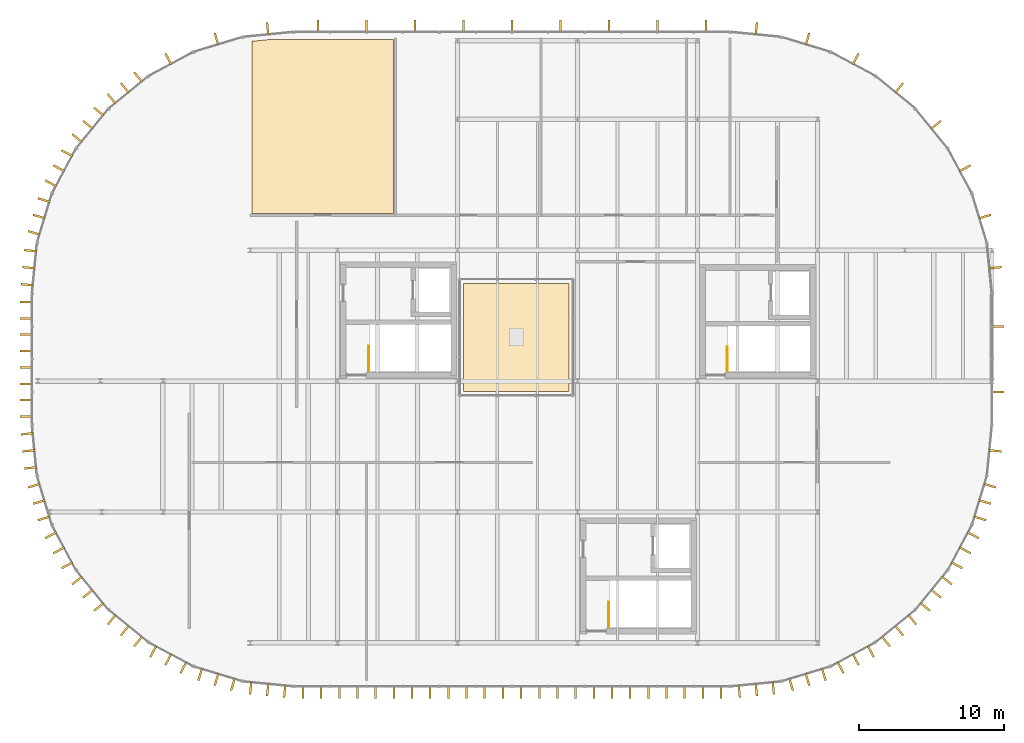
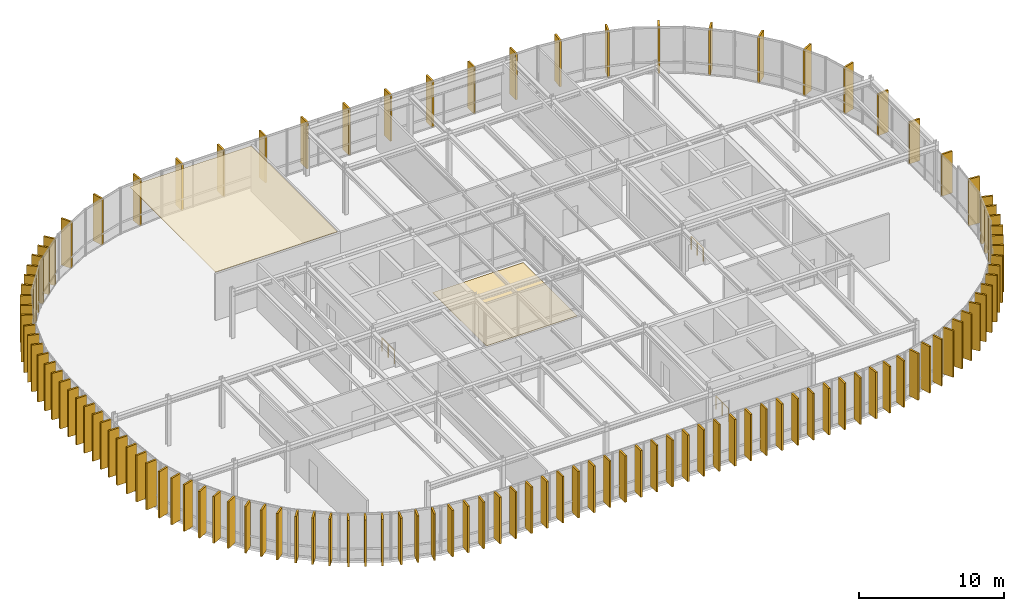
# One storey, part 21 of 21: 117 coverings, 3 railings.
"""IFC4 building model written with IfcOpenShell, lengths in metres."""

from ifc_helpers import new_model, si_unit, direction, frame, origin, origin_2d, place, context, subcontext, project, spatial, polyline, rectangle, circle, outline, extrude, material, layer, layer_set, type_object, element, save


model = new_model("IFC4")

# Units and contexts
model_context = context("Model", 3, precision=1e-05, world=origin(), true_north=direction((0.0, 1.0)))
body_context = subcontext(model_context, "Body", "Model", "MODEL_VIEW")
ifc_project = project(units=[si_unit("LENGTHUNIT", "METRE"), si_unit("AREAUNIT", "SQUARE_METRE"), si_unit("VOLUMEUNIT", "CUBIC_METRE"), si_unit("PLANEANGLEUNIT", "RADIAN"), si_unit("MASSUNIT", "GRAM", prefix="KILO")], contexts=[model_context])

# Site, building, storey
site_placement = place(None, origin())
site = spatial("IfcSite", under=ifc_project, at=site_placement, CompositionType="ELEMENT")
building_placement = place(site_placement, origin())
building = spatial("IfcBuilding", under=site, at=building_placement, Name="Montealbar Specialist Clinic", CompositionType="ELEMENT")
storey_placement = place(building_placement, frame((0.0, 0.0, 26.39990234375)))
storey = spatial("IfcBuildingStorey", under=building, at=storey_placement, Name="L06", CompositionType="ELEMENT", Elevation=26.39990234375)

# Coverings
ifc_material_1 = material(Name="Hygienic acoustic ceiling tile", Category="gypsum")
ifc_layer_1 = layer(ifc_material_1, 0.02490234375, Name="Hygienic acoustic ceiling tile", Category="gypsum")
ifc_layer_set_1 = layer_set([ifc_layer_1], Name="Hygienic acoustic ceiling tile")
covering_type_1 = type_object("IfcCoveringType", Name="COV-CEIL-ACOUSTIC", PredefinedType="CEILING", material=ifc_layer_set_1)
covering_1_placement = place(storey_placement, frame((0.0, 0.0, 3.905029296875)))
element("IfcCovering", 1, at=covering_1_placement, inside=storey, type_object=covering_type_1, Name="Hygienic Acoustic Ceiling Telemedicine Specialist Consulting Room 01", PredefinedType="CEILING", context=body_context, shape_type="SweptSolid", body=[
    extrude(outline(polyline([(69.8701171875, 50.469970703125), (69.8701171875, 38.530029296875), (60.1298828125, 38.530029296875), (60.1298828125, 50.365966796875), (61.18994140625, 50.469970703125), (69.8701171875, 50.469970703125)])), origin(), (0.0, 0.0, 1.0), 0.025146484375),
])
ifc_material_2 = material(Name="Thermally modified timber cladding", Category="wood")
ifc_layer_2 = layer(ifc_material_2, 0.139892578125, Name="Thermally modified timber cladding", Category="wood")
ifc_layer_set_2 = layer_set([ifc_layer_2], Name="Thermally modified timber cladding")
covering_type_2 = type_object("IfcCoveringType", Name="COV-FIN-TIMBER-850", PredefinedType="CLADDING", material=ifc_layer_set_2)
for number, where, z_axis, x_axis, name in (
    (2, (44.60009765625, 24.56201171875, 0.0), (0.0, 0.0, 1.0), (-1.0, 0.0, 0.0), "Vertical Timber Solar Fin CF-L06-0487"),
    (3, (44.60009765625, 25.68798828125, 0.0), (0.0, 0.0, 1.0), (-1.0, 0.0, 0.0), "Vertical Timber Solar Fin CF-L06-0488"),
    (4, (44.60009765625, 26.81201171875, 0.0), (0.0, 0.0, 1.0), (-1.0, 0.0, 0.0), "Vertical Timber Solar Fin CF-L06-0489"),
    (5, (44.60009765625, 27.93798828125, 0.0), (0.0, 0.0, 1.0), (-1.0, 0.0, 0.0), "Vertical Timber Solar Fin CF-L06-0490"),
    (6, (44.60009765625, 29.06201171875, 0.0), (0.0, 0.0, 1.0), (-1.0, 0.0, 0.0), "Vertical Timber Solar Fin CF-L06-0491"),
    (7, (44.60009765625, 30.18798828125, 0.0), (0.0, 0.0, 1.0), (-1.0, 0.0, 0.0), "Vertical Timber Solar Fin CF-L06-0492"),
    (8, (44.60009765625, 31.31201171875, 0.0), (0.0, 0.0, 1.0), (-1.0, 0.0, 0.0), "Vertical Timber Solar Fin CF-L06-0493"),
    (9, (44.60009765625, 32.43798828125, 0.0), (0.0, 0.0, 1.0), (-1.0, 0.0, 0.0), "Vertical Timber Solar Fin CF-L06-0494"),
    (10, (44.659912109375, 33.625, 0.0), (0.0, 0.0, 1.0), (-0.995182012183, 0.098044697094, 0.0), "Vertical Timber Solar Fin CF-L06-0495"),
    (11, (44.77490234375, 34.794921875, 0.0), (0.0, 0.0, 1.0), (-0.995182012183, 0.098044697094, 0.0), "Vertical Timber Solar Fin CF-L06-0496"),
    (12, (44.889892578125, 35.966064453125, 0.0), (0.0, 0.0, 1.0), (-0.995182012183, 0.098044697094, 0.0), "Vertical Timber Solar Fin CF-L06-0497"),
    (13, (45.134033203125, 37.19091796875, 0.0), (0.0, 0.0, 1.0), (-0.956948083701, 0.290259134399, 0.0), "Vertical Timber Solar Fin CF-L06-0498"),
    (14, (45.47509765625, 38.31591796875, 0.0), (0.0, 0.0, 1.0), (-0.956948083701, 0.290259134399, 0.0), "Vertical Timber Solar Fin CF-L06-0499"),
    (15, (45.81689453125, 39.44091796875, 0.0), (0.0, 0.0, 1.0), (-0.956948083701, 0.290259134399, 0.0), "Vertical Timber Solar Fin CF-L06-0500"),
    (16, (46.294921875, 40.594970703125, 0.0), (0.0, 0.0, 1.0), (-0.881850411644, 0.471529268958, 0.0), "Vertical Timber Solar Fin CF-L06-0501"),
    (17, (46.84912109375, 41.633056640625, 0.0), (0.0, 0.0, 1.0), (-0.881850411644, 0.471529268958, 0.0), "Vertical Timber Solar Fin CF-L06-0502"),
    (18, (47.404052734375, 42.669921875, 0.0), (0.0, 0.0, 1.0), (-0.881850411644, 0.471529268958, 0.0), "Vertical Timber Solar Fin CF-L06-0503"),
    (19, (48.097900390625, 43.7080078125, 0.0), (0.0, 0.0, 1.0), (-0.773123255923, 0.634255808922, 0.0), "Vertical Timber Solar Fin CF-L06-0504"),
    (20, (48.843994140625, 44.617919921875, 0.0), (0.0, 0.0, 1.0), (-0.773123255923, 0.634255808922, 0.0), "Vertical Timber Solar Fin CF-L06-0505"),
    (21, (49.590087890625, 45.527099609375, 0.0), (0.0, 0.0, 1.0), (-0.773123255923, 0.634255808922, 0.0), "Vertical Timber Solar Fin CF-L06-0506"),
    (22, (50.472900390625, 46.409912109375, 0.0), (0.0, 0.0, 1.0), (-0.634255808922, 0.773123255923, 0.0), "Vertical Timber Solar Fin CF-L06-0507"),
    (23, (51.382080078125, 47.156005859375, 0.0), (0.0, 0.0, 1.0), (-0.634255808922, 0.773123255923, 0.0), "Vertical Timber Solar Fin CF-L06-0508"),
    (24, (52.2919921875, 47.902099609375, 0.0), (0.0, 0.0, 1.0), (-0.634255808922, 0.773123255923, 0.0), "Vertical Timber Solar Fin CF-L06-0509"),
    (25, (54.366943359375, 49.15087890625, 0.0), (0.0, 0.0, 1.0), (-0.471529268958, 0.881850411644, 0.0), "Vertical Timber Solar Fin CF-L06-0510"),
    (26, (57.68408203125, 50.52490234375, 0.0), (0.0, 0.0, 1.0), (-0.290259134399, 0.956948083701, 0.0), "Vertical Timber Solar Fin CF-L06-0511"),
    (27, (61.205078125, 51.22509765625, 0.0), (0.0, 0.0, 1.0), (-0.098044697094, 0.995182012183, 0.0), "Vertical Timber Solar Fin CF-L06-0512"),
    (28, (64.6669921875, 51.39990234375, 0.0), (0.0, 0.0, 1.0), (0.0, 1.0, 0.0), "Vertical Timber Solar Fin CF-L06-0513"),
    (29, (68.0, 51.39990234375, 0.0), (0.0, 0.0, 1.0), (0.0, 1.0, 0.0), "Vertical Timber Solar Fin CF-L06-0514"),
    (30, (71.3330078125, 51.39990234375, 0.0), (0.0, 0.0, 1.0), (0.0, 1.0, 0.0), "Vertical Timber Solar Fin CF-L06-0515"),
    (31, (74.6669921875, 51.39990234375, 0.0), (0.0, 0.0, 1.0), (0.0, 1.0, 0.0), "Vertical Timber Solar Fin CF-L06-0516"),
    (32, (78.0, 51.39990234375, 0.0), (0.0, 0.0, 1.0), (0.0, 1.0, 0.0), "Vertical Timber Solar Fin CF-L06-0517"),
    (33, (81.3330078125, 51.39990234375, 0.0), (0.0, 0.0, 1.0), (0.0, 1.0, 0.0), "Vertical Timber Solar Fin CF-L06-0518"),
    (34, (84.6669921875, 51.39990234375, 0.0), (0.0, 0.0, 1.0), (0.0, 1.0, 0.0), "Vertical Timber Solar Fin CF-L06-0519"),
    (35, (88.0, 51.39990234375, 0.0), (0.0, 0.0, 1.0), (0.0, 1.0, 0.0), "Vertical Timber Solar Fin CF-L06-0520"),
    (36, (91.3330078125, 51.39990234375, 0.0), (0.0, 0.0, 1.0), (0.0, 1.0, 0.0), "Vertical Timber Solar Fin CF-L06-0521"),
    (37, (94.794921875, 51.22509765625, 0.0), (0.0, 0.0, 1.0), (0.098044697094, 0.995182012183, 0.0), "Vertical Timber Solar Fin CF-L06-0522"),
    (38, (98.31591796875, 50.52490234375, 0.0), (0.0, 0.0, 1.0), (0.290259134399, 0.956948083701, 0.0), "Vertical Timber Solar Fin CF-L06-0523"),
    (39, (101.633056640625, 49.15087890625, 0.0), (0.0, 0.0, 1.0), (0.471529268958, 0.881850411644, 0.0), "Vertical Timber Solar Fin CF-L06-0524"),
    (40, (104.617919921875, 47.156005859375, 0.0), (0.0, 0.0, 1.0), (0.634255808922, 0.773123255923, 0.0), "Vertical Timber Solar Fin CF-L06-0525"),
    (41, (107.156005859375, 44.617919921875, 0.0), (0.0, 0.0, 1.0), (0.773123255923, 0.634255808922, 0.0), "Vertical Timber Solar Fin CF-L06-0526"),
    (42, (109.15087890625, 41.633056640625, 0.0), (0.0, 0.0, 1.0), (0.881850411644, 0.471529268958, 0.0), "Vertical Timber Solar Fin CF-L06-0527"),
    (43, (110.52490234375, 38.31591796875, 0.0), (0.0, 0.0, 1.0), (0.956948083701, 0.290259134399, 0.0), "Vertical Timber Solar Fin CF-L06-0528"),
):
    element("IfcCovering", number, at=place(storey_placement, frame(where, z_axis=z_axis, x_axis=x_axis)), inside=storey, type_object=covering_type_2, Name=name, PredefinedType="CLADDING", context=body_context, shape_type="SweptSolid", body=[
        extrude(rectangle(XDim=0.85009765625, YDim=0.139892578125, at=origin_2d()), origin(), (0.0, 0.0, 1.0), 3.929931640625),
    ])
for number, where, z_axis, x_axis, name in (
    (44, (111.22509765625, 34.794921875, 0.0), (0.0, 0.0, 1.0), (0.995182012183, 0.098044697094, 0.0), "Vertical Timber Solar Fin CF-L06-0529"),
    (45, (111.39990234375, 30.75, 0.0), (0.0, 0.0, 1.0), (1.0, 0.0, 0.0), "Vertical Timber Solar Fin CF-L06-0530"),
    (46, (111.39990234375, 26.25, 0.0), (0.0, 0.0, 1.0), (1.0, 0.0, 0.0), "Vertical Timber Solar Fin CF-L06-0531"),
):
    element("IfcCovering", number, at=place(storey_placement, frame(where, z_axis=z_axis, x_axis=x_axis)), inside=storey, type_object=covering_type_2, Name=name, PredefinedType="CLADDING", context=body_context, shape_type="SweptSolid", body=[
        extrude(rectangle(XDim=0.85009765625, YDim=0.139892578125, at=origin_2d()), origin(), (0.0, 0.0, 1.0), 3.530029296875),
    ])
for number, where, z_axis, x_axis, name in (
    (47, (111.22509765625, 22.205078125, 0.0), (0.0, 0.0, 1.0), (0.995182012183, -0.098044697094, 0.0), "Vertical Timber Solar Fin CF-L06-0532"),
    (48, (110.865966796875, 19.80908203125, 0.0), (0.0, 0.0, 1.0), (0.956948083701, -0.290259134399, 0.0), "Vertical Timber Solar Fin CF-L06-0533"),
    (49, (110.52490234375, 18.68408203125, 0.0), (0.0, 0.0, 1.0), (0.956948083701, -0.290259134399, 0.0), "Vertical Timber Solar Fin CF-L06-0534"),
    (50, (110.18310546875, 17.55908203125, 0.0), (0.0, 0.0, 1.0), (0.956948083701, -0.290259134399, 0.0), "Vertical Timber Solar Fin CF-L06-0535"),
    (51, (109.705078125, 16.405029296875, 0.0), (0.0, 0.0, 1.0), (0.881850411644, -0.471529268958, 0.0), "Vertical Timber Solar Fin CF-L06-0536"),
    (52, (109.15087890625, 15.366943359375, 0.0), (0.0, 0.0, 1.0), (0.881850411644, -0.471529268958, 0.0), "Vertical Timber Solar Fin CF-L06-0537"),
    (53, (108.595947265625, 14.330078125, 0.0), (0.0, 0.0, 1.0), (0.881850411644, -0.471529268958, 0.0), "Vertical Timber Solar Fin CF-L06-0538"),
    (54, (107.902099609375, 13.2919921875, 0.0), (0.0, 0.0, 1.0), (0.773123255923, -0.634255808922, 0.0), "Vertical Timber Solar Fin CF-L06-0539"),
    (55, (107.156005859375, 12.382080078125, 0.0), (0.0, 0.0, 1.0), (0.773123255923, -0.634255808922, 0.0), "Vertical Timber Solar Fin CF-L06-0540"),
    (56, (106.409912109375, 11.472900390625, 0.0), (0.0, 0.0, 1.0), (0.773123255923, -0.634255808922, 0.0), "Vertical Timber Solar Fin CF-L06-0541"),
    (57, (105.527099609375, 10.590087890625, 0.0), (0.0, 0.0, 1.0), (0.634255808922, -0.773123255923, 0.0), "Vertical Timber Solar Fin CF-L06-0542"),
    (58, (104.617919921875, 9.843994140625, 0.0), (0.0, 0.0, 1.0), (0.634255808922, -0.773123255923, 0.0), "Vertical Timber Solar Fin CF-L06-0543"),
    (59, (103.7080078125, 9.097900390625, 0.0), (0.0, 0.0, 1.0), (0.634255808922, -0.773123255923, 0.0), "Vertical Timber Solar Fin CF-L06-0544"),
    (60, (102.669921875, 8.404052734375, 0.0), (0.0, 0.0, 1.0), (0.471529268958, -0.881850411644, 0.0), "Vertical Timber Solar Fin CF-L06-0545"),
    (61, (101.633056640625, 7.84912109375, 0.0), (0.0, 0.0, 1.0), (0.471529268958, -0.881850411644, 0.0), "Vertical Timber Solar Fin CF-L06-0546"),
    (62, (100.594970703125, 7.294921875, 0.0), (0.0, 0.0, 1.0), (0.471529268958, -0.881850411644, 0.0), "Vertical Timber Solar Fin CF-L06-0547"),
    (63, (99.44091796875, 6.81689453125, 0.0), (0.0, 0.0, 1.0), (0.290259134399, -0.956948083701, 0.0), "Vertical Timber Solar Fin CF-L06-0548"),
    (64, (98.31591796875, 6.47509765625, 0.0), (0.0, 0.0, 1.0), (0.290259134399, -0.956948083701, 0.0), "Vertical Timber Solar Fin CF-L06-0549"),
    (65, (97.19091796875, 6.134033203125, 0.0), (0.0, 0.0, 1.0), (0.290259134399, -0.956948083701, 0.0), "Vertical Timber Solar Fin CF-L06-0550"),
    (66, (95.966064453125, 5.889892578125, 0.0), (0.0, 0.0, 1.0), (0.098044697094, -0.995182012183, 0.0), "Vertical Timber Solar Fin CF-L06-0551"),
    (67, (94.794921875, 5.77490234375, 0.0), (0.0, 0.0, 1.0), (0.098044697094, -0.995182012183, 0.0), "Vertical Timber Solar Fin CF-L06-0552"),
    (68, (93.625, 5.659912109375, 0.0), (0.0, 0.0, 1.0), (0.098044697094, -0.995182012183, 0.0), "Vertical Timber Solar Fin CF-L06-0553"),
    (69, (92.375, 5.60009765625, 0.0), (0.0, 0.0, 1.0), (0.0, -1.0, 0.0), "Vertical Timber Solar Fin CF-L06-0554"),
    (70, (91.125, 5.60009765625, 0.0), (0.0, 0.0, 1.0), (0.0, -1.0, 0.0), "Vertical Timber Solar Fin CF-L06-0555"),
    (71, (89.875, 5.60009765625, 0.0), (0.0, 0.0, 1.0), (0.0, -1.0, 0.0), "Vertical Timber Solar Fin CF-L06-0556"),
    (72, (88.625, 5.60009765625, 0.0), (0.0, 0.0, 1.0), (0.0, -1.0, 0.0), "Vertical Timber Solar Fin CF-L06-0557"),
    (73, (87.375, 5.60009765625, 0.0), (0.0, 0.0, 1.0), (0.0, -1.0, 0.0), "Vertical Timber Solar Fin CF-L06-0558"),
    (74, (86.125, 5.60009765625, 0.0), (0.0, 0.0, 1.0), (0.0, -1.0, 0.0), "Vertical Timber Solar Fin CF-L06-0559"),
    (75, (84.875, 5.60009765625, 0.0), (0.0, 0.0, 1.0), (0.0, -1.0, 0.0), "Vertical Timber Solar Fin CF-L06-0560"),
    (76, (83.625, 5.60009765625, 0.0), (0.0, 0.0, 1.0), (0.0, -1.0, 0.0), "Vertical Timber Solar Fin CF-L06-0561"),
    (77, (82.375, 5.60009765625, 0.0), (0.0, 0.0, 1.0), (0.0, -1.0, 0.0), "Vertical Timber Solar Fin CF-L06-0562"),
    (78, (81.125, 5.60009765625, 0.0), (0.0, 0.0, 1.0), (0.0, -1.0, 0.0), "Vertical Timber Solar Fin CF-L06-0563"),
    (79, (79.875, 5.60009765625, 0.0), (0.0, 0.0, 1.0), (0.0, -1.0, 0.0), "Vertical Timber Solar Fin CF-L06-0564"),
    (80, (78.625, 5.60009765625, 0.0), (0.0, 0.0, 1.0), (0.0, -1.0, 0.0), "Vertical Timber Solar Fin CF-L06-0565"),
    (81, (77.375, 5.60009765625, 0.0), (0.0, 0.0, 1.0), (0.0, -1.0, 0.0), "Vertical Timber Solar Fin CF-L06-0566"),
    (82, (76.125, 5.60009765625, 0.0), (0.0, 0.0, 1.0), (0.0, -1.0, 0.0), "Vertical Timber Solar Fin CF-L06-0567"),
    (83, (74.875, 5.60009765625, 0.0), (0.0, 0.0, 1.0), (0.0, -1.0, 0.0), "Vertical Timber Solar Fin CF-L06-0568"),
    (84, (73.625, 5.60009765625, 0.0), (0.0, 0.0, 1.0), (0.0, -1.0, 0.0), "Vertical Timber Solar Fin CF-L06-0569"),
    (85, (72.375, 5.60009765625, 0.0), (0.0, 0.0, 1.0), (0.0, -1.0, 0.0), "Vertical Timber Solar Fin CF-L06-0570"),
    (86, (71.125, 5.60009765625, 0.0), (0.0, 0.0, 1.0), (0.0, -1.0, 0.0), "Vertical Timber Solar Fin CF-L06-0571"),
    (87, (69.875, 5.60009765625, 0.0), (0.0, 0.0, 1.0), (0.0, -1.0, 0.0), "Vertical Timber Solar Fin CF-L06-0572"),
    (88, (68.625, 5.60009765625, 0.0), (0.0, 0.0, 1.0), (0.0, -1.0, 0.0), "Vertical Timber Solar Fin CF-L06-0573"),
    (89, (67.375, 5.60009765625, 0.0), (0.0, 0.0, 1.0), (0.0, -1.0, 0.0), "Vertical Timber Solar Fin CF-L06-0574"),
    (90, (66.125, 5.60009765625, 0.0), (0.0, 0.0, 1.0), (0.0, -1.0, 0.0), "Vertical Timber Solar Fin CF-L06-0575"),
    (91, (64.875, 5.60009765625, 0.0), (0.0, 0.0, 1.0), (0.0, -1.0, 0.0), "Vertical Timber Solar Fin CF-L06-0576"),
    (92, (63.625, 5.60009765625, 0.0), (0.0, 0.0, 1.0), (0.0, -1.0, 0.0), "Vertical Timber Solar Fin CF-L06-0577"),
    (93, (62.375, 5.659912109375, 0.0), (0.0, 0.0, 1.0), (-0.098044697094, -0.995182012183, 0.0), "Vertical Timber Solar Fin CF-L06-0578"),
    (94, (61.205078125, 5.77490234375, 0.0), (0.0, 0.0, 1.0), (-0.098044697094, -0.995182012183, 0.0), "Vertical Timber Solar Fin CF-L06-0579"),
    (95, (60.033935546875, 5.889892578125, 0.0), (0.0, 0.0, 1.0), (-0.098044697094, -0.995182012183, 0.0), "Vertical Timber Solar Fin CF-L06-0580"),
    (96, (58.80908203125, 6.134033203125, 0.0), (0.0, 0.0, 1.0), (-0.290259134399, -0.956948083701, 0.0), "Vertical Timber Solar Fin CF-L06-0581"),
    (97, (57.68408203125, 6.47509765625, 0.0), (0.0, 0.0, 1.0), (-0.290259134399, -0.956948083701, 0.0), "Vertical Timber Solar Fin CF-L06-0582"),
    (98, (56.55908203125, 6.81689453125, 0.0), (0.0, 0.0, 1.0), (-0.290259134399, -0.956948083701, 0.0), "Vertical Timber Solar Fin CF-L06-0583"),
    (99, (55.405029296875, 7.294921875, 0.0), (0.0, 0.0, 1.0), (-0.471529268958, -0.881850411644, 0.0), "Vertical Timber Solar Fin CF-L06-0584"),
    (100, (54.366943359375, 7.84912109375, 0.0), (0.0, 0.0, 1.0), (-0.471529268958, -0.881850411644, 0.0), "Vertical Timber Solar Fin CF-L06-0585"),
    (101, (53.330078125, 8.404052734375, 0.0), (0.0, 0.0, 1.0), (-0.471529268958, -0.881850411644, 0.0), "Vertical Timber Solar Fin CF-L06-0586"),
    (102, (52.2919921875, 9.097900390625, 0.0), (0.0, 0.0, 1.0), (-0.634255808922, -0.773123255923, 0.0), "Vertical Timber Solar Fin CF-L06-0587"),
    (103, (51.382080078125, 9.843994140625, 0.0), (0.0, 0.0, 1.0), (-0.634255808922, -0.773123255923, 0.0), "Vertical Timber Solar Fin CF-L06-0588"),
    (104, (50.472900390625, 10.590087890625, 0.0), (0.0, 0.0, 1.0), (-0.634255808922, -0.773123255923, 0.0), "Vertical Timber Solar Fin CF-L06-0589"),
    (105, (49.590087890625, 11.472900390625, 0.0), (0.0, 0.0, 1.0), (-0.773123255923, -0.634255808922, 0.0), "Vertical Timber Solar Fin CF-L06-0590"),
    (106, (48.843994140625, 12.382080078125, 0.0), (0.0, 0.0, 1.0), (-0.773123255923, -0.634255808922, 0.0), "Vertical Timber Solar Fin CF-L06-0591"),
    (107, (48.097900390625, 13.2919921875, 0.0), (0.0, 0.0, 1.0), (-0.773123255923, -0.634255808922, 0.0), "Vertical Timber Solar Fin CF-L06-0592"),
    (108, (47.404052734375, 14.330078125, 0.0), (0.0, 0.0, 1.0), (-0.881850411644, -0.471529268958, 0.0), "Vertical Timber Solar Fin CF-L06-0593"),
    (109, (46.84912109375, 15.366943359375, 0.0), (0.0, 0.0, 1.0), (-0.881850411644, -0.471529268958, 0.0), "Vertical Timber Solar Fin CF-L06-0594"),
    (110, (46.294921875, 16.405029296875, 0.0), (0.0, 0.0, 1.0), (-0.881850411644, -0.471529268958, 0.0), "Vertical Timber Solar Fin CF-L06-0595"),
    (111, (45.81689453125, 17.55908203125, 0.0), (0.0, 0.0, 1.0), (-0.956948083701, -0.290259134399, 0.0), "Vertical Timber Solar Fin CF-L06-0596"),
    (112, (45.47509765625, 18.68408203125, 0.0), (0.0, 0.0, 1.0), (-0.956948083701, -0.290259134399, 0.0), "Vertical Timber Solar Fin CF-L06-0597"),
    (113, (45.134033203125, 19.80908203125, 0.0), (0.0, 0.0, 1.0), (-0.956948083701, -0.290259134399, 0.0), "Vertical Timber Solar Fin CF-L06-0598"),
    (114, (44.889892578125, 21.033935546875, 0.0), (0.0, 0.0, 1.0), (-0.995182012183, -0.098044697094, 0.0), "Vertical Timber Solar Fin CF-L06-0599"),
    (115, (44.77490234375, 22.205078125, 0.0), (0.0, 0.0, 1.0), (-0.995182012183, -0.098044697094, 0.0), "Vertical Timber Solar Fin CF-L06-0600"),
    (116, (44.659912109375, 23.375, 0.0), (0.0, 0.0, 1.0), (-0.995182012183, -0.098044697094, 0.0), "Vertical Timber Solar Fin CF-L06-0601"),
):
    element("IfcCovering", number, at=place(storey_placement, frame(where, z_axis=z_axis, x_axis=x_axis)), inside=storey, type_object=covering_type_2, Name=name, PredefinedType="CLADDING", context=body_context, shape_type="SweptSolid", body=[
        extrude(rectangle(XDim=0.85009765625, YDim=0.139892578125, at=origin_2d()), origin(), (0.0, 0.0, 1.0), 3.929931640625),
    ])
ifc_material_3 = material(Name="Weatherproof roofing membrane", Category="concrete")
ifc_layer_3 = layer(ifc_material_3, 0.030029296875, Name="Weatherproof roofing membrane", Category="concrete")
ifc_layer_set_3 = layer_set([ifc_layer_3], Name="Weatherproof roofing membrane")
covering_type_3 = type_object("IfcCoveringType", Name="COV-ROOF-MEMB", PredefinedType="ROOFING", material=ifc_layer_set_3)
covering_2_placement = place(storey_placement, origin())
element("IfcCovering", 117, at=covering_2_placement, inside=storey, type_object=covering_type_3, Name="Weatherproof Roof Membrane ROOF-L06-01", PredefinedType="ROOFING", context=body_context, shape_type="SweptSolid", body=[
    extrude(outline(polyline([(74.679931640625, 33.719970703125), (81.919921875, 33.719970703125), (81.919921875, 26.280029296875), (74.679931640625, 26.280029296875), (74.679931640625, 33.719970703125)])), origin(), (0.0, 0.0, 1.0), 0.030029296875),
])

# Railings
ifc_material_4 = material(Name="Steel S355", Category="steel")
ifc_layer_4 = layer(ifc_material_4, 0.050048828125, Name="Steel S355", Category="steel")
ifc_layer_set_4 = layer_set([ifc_layer_4], Name="Steel S355")
railing_type = type_object("IfcRailingType", Name="RAIL-STAIR-BAL-1100", PredefinedType="BALUSTRADE", material=ifc_layer_set_4)
for number, where, name in (
    (118, (68.14990234375, 27.699951171875, 0.0), "L06 ST-03 top well guard 1"),
    (119, (84.64990234375, 10.10009765625, 0.0), "L06 ST-04 top well guard 1"),
):
    element("IfcRailing", number, at=place(storey_placement, frame(where)), inside=storey, type_object=railing_type, Name=name, PredefinedType="BALUSTRADE", context=body_context, shape_type="SweptSolid", body=[
        extrude(circle(Radius=0.02392578125, at=origin_2d()), frame((0.0, 0.0, 1.076171875), z_axis=(0.0, 1.0, 0.0), x_axis=(-1.0, 0.0, 0.0)), (0.0, 0.0, 1.0), 1.699951171875),
        extrude(circle(Radius=0.02099609375, at=origin_2d()), frame((0.0, 0.0, -0.02490234375)), (0.0, 0.0, 1.0), 1.076904296875),
        extrude(circle(Radius=0.02099609375, at=origin_2d()), frame((0.0, 0.85009765625, -0.02490234375)), (0.0, 0.0, 1.0), 1.076904296875),
        extrude(circle(Radius=0.02099609375, at=origin_2d()), frame((0.0, 1.699951171875, -0.02490234375)), (0.0, 0.0, 1.0), 1.076904296875),
    ])
railing_placement = place(storey_placement, frame((92.800048828125, 27.699951171875, 0.0)))
element("IfcRailing", 120, at=railing_placement, inside=storey, type_object=railing_type, Name="L06 ST-05 top well guard 1", PredefinedType="BALUSTRADE", context=body_context, shape_type="SweptSolid", body=[
    extrude(circle(Radius=0.02392578125, at=origin_2d()), frame((0.0, 0.0, 1.076171875), z_axis=(0.0, 1.0, 0.0), x_axis=(-1.0, 0.0, 0.0)), (0.0, 0.0, 1.0), 1.650146484375),
    extrude(circle(Radius=0.02099609375, at=origin_2d()), frame((0.0, 0.0, -0.02490234375)), (0.0, 0.0, 1.0), 1.076904296875),
    extrude(circle(Radius=0.02099609375, at=origin_2d()), frame((0.0, 0.8251953125, -0.02490234375)), (0.0, 0.0, 1.0), 1.076904296875),
    extrude(circle(Radius=0.02099609375, at=origin_2d()), frame((0.0, 1.650146484375, -0.02490234375)), (0.0, 0.0, 1.0), 1.076904296875),
])

save(model, "model.ifc")
